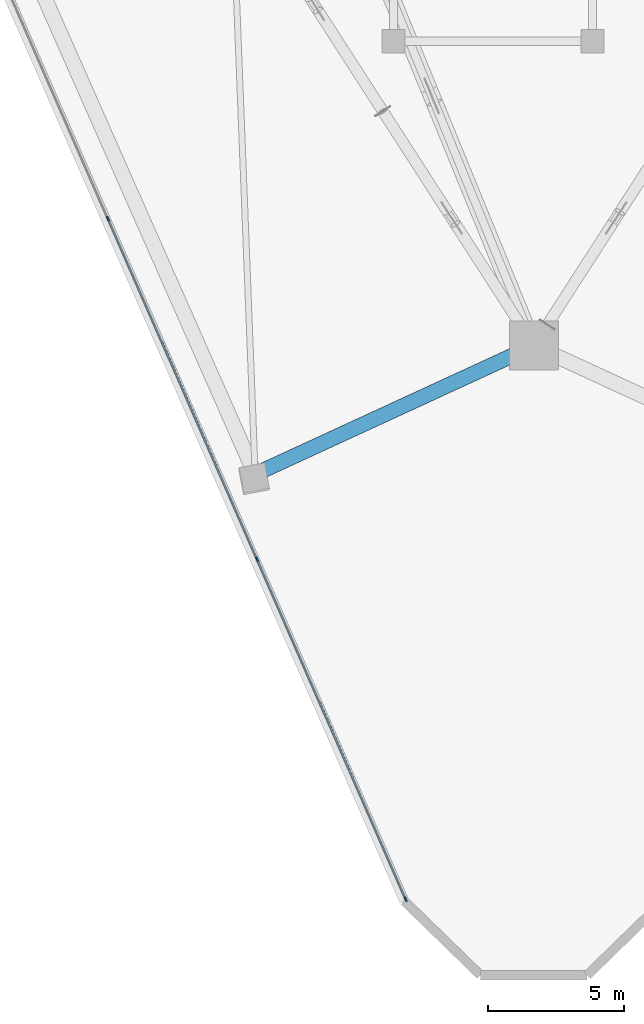
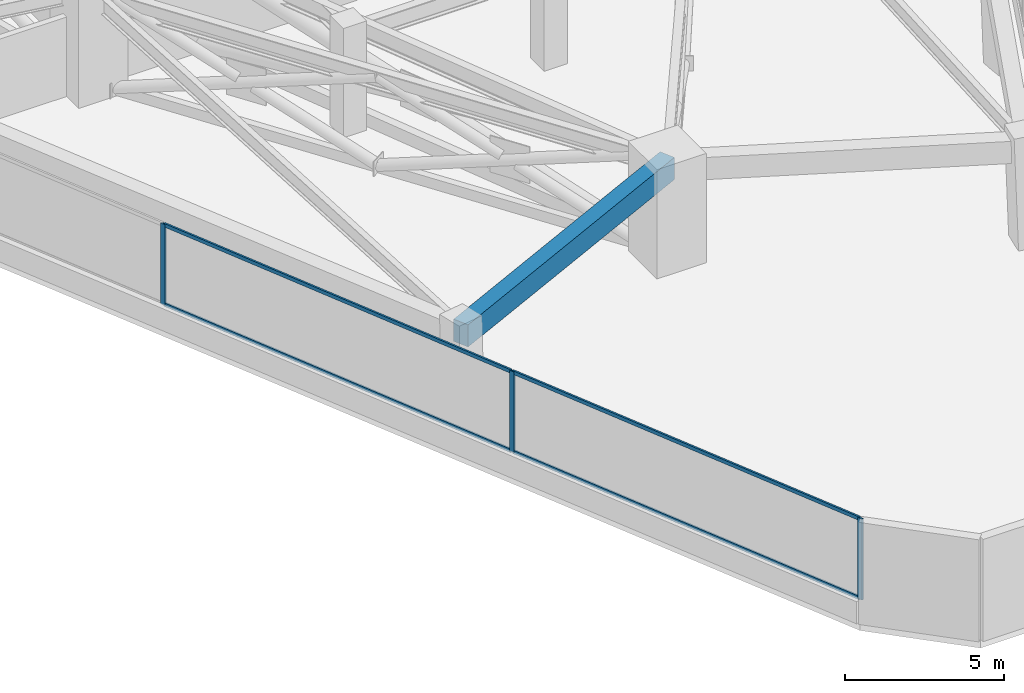
# One storey, part 2 of 20: 7 members, 1 beam, 1 element without a shape of its own.
"""IFC4 building model written with IfcOpenShell, lengths in metres."""

from ifc_helpers import new_model, si_unit, direction, frame, origin, origin_2d, place, context, subcontext, project, spatial, rectangle, extrude, material, layer, layer_set, material_profile, profile_set, type_object, element, aggregate, save


model = new_model("IFC4")

# Units and contexts
model_context = context("Model", 3, precision=1e-05, world=origin(), true_north=direction((0.0, 1.0)))
body_context = subcontext(model_context, "Body", "Model", "MODEL_VIEW")
ifc_project = project(units=[si_unit("LENGTHUNIT", "METRE"), si_unit("AREAUNIT", "SQUARE_METRE"), si_unit("VOLUMEUNIT", "CUBIC_METRE"), si_unit("PLANEANGLEUNIT", "RADIAN"), si_unit("MASSUNIT", "GRAM", prefix="KILO")], contexts=[model_context])

# Site, building, storey
site_placement = place(None, origin())
site = spatial("IfcSite", under=ifc_project, at=site_placement, CompositionType="ELEMENT")
building_placement = place(site_placement, origin())
building = spatial("IfcBuilding", under=site, at=building_placement, Name="Talyreon Biosciences Tower", CompositionType="ELEMENT")
storey_placement = place(building_placement, frame((0.0, 0.0, 70.800048828125)))
storey = spatial("IfcBuildingStorey", under=building, at=storey_placement, Name="L18", CompositionType="ELEMENT", Elevation=70.800048828125)

# Curtain wall, members
ifc_material_1 = material(Name="Thermally broken aluminium and low-E glazing", Category="aluminium")
ifc_layer = layer(ifc_material_1, 0.195068359375)
ifc_layer_set = layer_set([ifc_layer], Name="Thermally broken aluminium and low-E glazing")
curtain_wall_type = type_object("IfcCurtainWallType", Name="CurtainWall_Zone1WetLab", PredefinedType="NOTDEFINED", material=ifc_layer_set)
curtain_wall_placement = place(storey_placement, origin())
curtain_wall = element("IfcCurtainWall", 1, at=curtain_wall_placement, inside=storey, type_object=curtain_wall_type, Name="L18 Unitised Curtain Wall FCW-L18-00", PredefinedType="NOTDEFINED")
ifc_material_2 = material(Name="Anodised thermally broken aluminium", Category="aluminium")
ifc_material_profile_1 = material_profile(ifc_material_2, rectangle(XDim=0.06494140625, YDim=0.179931640625, at=origin_2d()), Name="ALUM MULLION 65x180")
ifc_profile_set_1 = profile_set([ifc_material_profile_1], Name="Anodised thermally broken aluminium")
member_type_1 = type_object("IfcMemberType", Name="CWMullion_65x180", PredefinedType="MULLION", material=ifc_profile_set_1)
member_1_placement = place(storey_placement, frame((61.29638671875, 21.3525390625, 0.81005859375), z_axis=(0.0, 0.0, 1.0), x_axis=(-0.916151953082, -0.400831135099, 0.0)))
member_1 = element("IfcMember", 2, at=member_1_placement, type_object=member_type_1, Name="CW2 mullion 1", PredefinedType="MULLION", context=body_context, shape_type="SweptSolid", body=[
    extrude(rectangle(XDim=0.06494140625, YDim=0.179931640625, at=origin_2d()), origin(), (0.0, 0.0, 1.0), 3.114990234375),
])
member_2_placement = place(storey_placement, frame((55.83935546875, 33.8251953125, 0.81005859375), z_axis=(0.0, 0.0, 1.0), x_axis=(-0.916151953082, -0.400831135099, 0.0)))
member_2 = element("IfcMember", 3, at=member_2_placement, type_object=member_type_1, Name="CW2 mullion 2", PredefinedType="MULLION", context=body_context, shape_type="SweptSolid", body=[
    extrude(rectangle(XDim=0.06494140625, YDim=0.179931640625, at=origin_2d()), origin(), (0.0, 0.0, 1.0), 3.114990234375),
])
member_3_placement = place(storey_placement, frame((50.369384765625, 46.32763671875, 0.81005859375), z_axis=(0.0, 0.0, 1.0), x_axis=(-0.916151953082, -0.400831135099, 0.0)))
member_3 = element("IfcMember", 4, at=member_3_placement, type_object=member_type_1, Name="CW2 mullion 3", PredefinedType="MULLION", context=body_context, shape_type="SweptSolid", body=[
    extrude(rectangle(XDim=0.06494140625, YDim=0.179931640625, at=origin_2d()), origin(), (0.0, 0.0, 1.0), 3.114990234375),
])
ifc_material_profile_2 = material_profile(ifc_material_2, rectangle(XDim=0.06494140625, YDim=0.139892578125, at=origin_2d()), Name="ALUM TRANSOM 65x140")
ifc_profile_set_2 = profile_set([ifc_material_profile_2], Name="Anodised thermally broken aluminium")
member_type_2 = type_object("IfcMemberType", Name="CWTransom_65x140", PredefinedType="USERDEFINED", material=ifc_profile_set_2)
member_4_placement = place(storey_placement, frame((61.283203125, 21.38232421875, 0.842529296875), z_axis=(-0.400830177027, 0.916152372253, 0.0), x_axis=(-0.916152372253, -0.400830177027, 0.0)))
member_4 = element("IfcMember", 5, at=member_4_placement, type_object=member_type_2, Name="CW2 transom 1.1", ObjectType="TRANSOM", PredefinedType="USERDEFINED", context=body_context, shape_type="SweptSolid", body=[
    extrude(rectangle(XDim=0.06494140625, YDim=0.139892578125, at=origin_2d()), origin(), (0.0, 0.0, 1.0), 13.549072265625),
])
member_5_placement = place(storey_placement, frame((61.283203125, 21.38232421875, 3.892333984375), z_axis=(-0.400830177027, 0.916152372253, 0.0), x_axis=(-0.916152372253, -0.400830177027, 0.0)))
member_5 = element("IfcMember", 6, at=member_5_placement, type_object=member_type_2, Name="CW2 transom 1.2", ObjectType="TRANSOM", PredefinedType="USERDEFINED", context=body_context, shape_type="SweptSolid", body=[
    extrude(rectangle(XDim=0.06494140625, YDim=0.139892578125, at=origin_2d()), origin(), (0.0, 0.0, 1.0), 13.549072265625),
])
member_6_placement = place(storey_placement, frame((55.826171875, 33.85498046875, 0.842529296875), z_axis=(-0.40082449197, 0.916154859528, 0.0), x_axis=(-0.916154859528, -0.40082449197, 0.0)))
member_6 = element("IfcMember", 7, at=member_6_placement, type_object=member_type_2, Name="CW2 transom 2.1", ObjectType="TRANSOM", PredefinedType="USERDEFINED", context=body_context, shape_type="SweptSolid", body=[
    extrude(rectangle(XDim=0.06494140625, YDim=0.139892578125, at=origin_2d()), origin(), (0.0, 0.0, 1.0), 13.58154296875),
])
member_7_placement = place(storey_placement, frame((55.826171875, 33.85498046875, 3.892333984375), z_axis=(-0.40082449197, 0.916154859528, 0.0), x_axis=(-0.916154859528, -0.40082449197, 0.0)))
member_7 = element("IfcMember", 8, at=member_7_placement, type_object=member_type_2, Name="CW2 transom 2.2", ObjectType="TRANSOM", PredefinedType="USERDEFINED", context=body_context, shape_type="SweptSolid", body=[
    extrude(rectangle(XDim=0.06494140625, YDim=0.139892578125, at=origin_2d()), origin(), (0.0, 0.0, 1.0), 13.58154296875),
])
aggregate(curtain_wall, [member_1, member_2, member_3, member_4, member_5, member_6, member_7])

# Beam
ifc_material_3 = material(Name="Precast concrete C45/55", Category="concrete")
ifc_material_profile_3 = material_profile(ifc_material_3, rectangle(XDim=0.550048828125, YDim=0.85009765625, at=origin_2d()), Name="RCB 550x850")
ifc_profile_set_3 = profile_set([ifc_material_profile_3], Name="Precast concrete C45/55")
beam_type = type_object("IfcBeamType", Name="ExpressedSpandrel_550x850", PredefinedType="SPANDREL", material=ifc_profile_set_3)
beam_placement = place(storey_placement, frame((55.770751953125, 36.953369140625, 3.5), z_axis=(0.908214889998, 0.418504138075, 0.0), x_axis=(-0.418504138075, 0.908214889998, 0.0)))
element("IfcBeam", 9, at=beam_placement, inside=storey, type_object=beam_type, Name="L18 Expressed Horizontal Concrete Spandrel 12", PredefinedType="SPANDREL", context=body_context, shape_type="SweptSolid", body=[
    extrude(rectangle(XDim=0.550048828125, YDim=0.85009765625, at=origin_2d()), origin(), (0.0, 0.0, 1.0), 11.262939453125),
])

save(model, "model.ifc")
